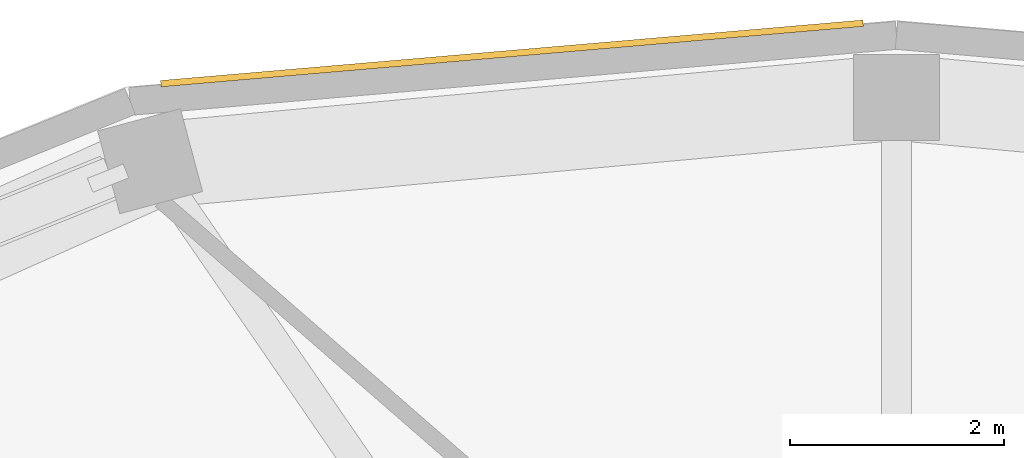
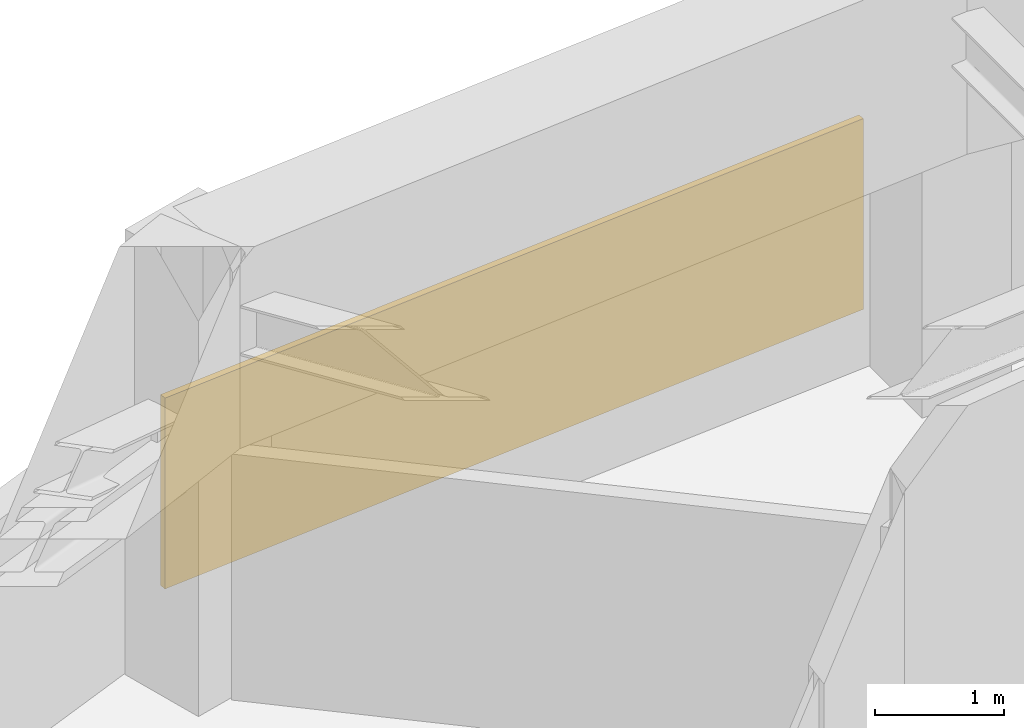
# One storey, part 10 of 10: 1 shading device.
"""IFC4 building model written with IfcOpenShell, lengths in metres."""

from ifc_helpers import new_model, si_unit, direction, frame, origin, origin_2d, place, context, subcontext, project, spatial, rectangle, extrude, material, layer, layer_set, type_object, element, save


model = new_model("IFC4")

# Units and contexts
model_context = context("Model", 3, precision=1e-05, world=origin(), true_north=direction((0.0, 1.0)))
body_context = subcontext(model_context, "Body", "Model", "MODEL_VIEW")
ifc_project = project(units=[si_unit("LENGTHUNIT", "METRE"), si_unit("AREAUNIT", "SQUARE_METRE"), si_unit("VOLUMEUNIT", "CUBIC_METRE"), si_unit("PLANEANGLEUNIT", "RADIAN"), si_unit("MASSUNIT", "GRAM", prefix="KILO")], contexts=[model_context])

# Site, building, storey
site_placement = place(None, origin())
site = spatial("IfcSite", under=ifc_project, at=site_placement, CompositionType="ELEMENT")
building_placement = place(site_placement, origin())
building = spatial("IfcBuilding", under=site, at=building_placement, Name="Solvane Sanctuary Tower", CompositionType="ELEMENT")
storey_placement = place(building_placement, frame((0.0, 0.0, 193.199951171875)))
storey = spatial("IfcBuildingStorey", under=building, at=storey_placement, Name="L59", CompositionType="ELEMENT", Elevation=193.199951171875)

# Shading device
ifc_material = material(Name="Anodised Aluminium 6063-T6", Category="aluminium")
ifc_layer = layer(ifc_material, 0.06005859375, Name="Anodised Aluminium 6063-T6")
ifc_layer_set = layer_set([ifc_layer], Name="Anodised Aluminium 6063-T6")
shading_device_type = type_object("IfcShadingDeviceType", Name="Shading SHD-LOUVRE", PredefinedType="JALOUSIE", material=ifc_layer_set)
shading_device_placement = place(storey_placement, frame((28.4111328125, 39.491455078125, 0.35009765625), z_axis=(0.0, 0.0, 1.0), x_axis=(-0.996313173704, -0.085790791492, 0.0)))
element("IfcShadingDevice", 1, at=shading_device_placement, inside=storey, type_object=shading_device_type, Name="L59 Plant Intake Louvre 06", PredefinedType="JALOUSIE", context=body_context, shape_type="SweptSolid", body=[
    extrude(rectangle(XDim=6.580322265625, YDim=0.06005859375, at=origin_2d()), origin(), (0.0, 0.0, 1.0), 1.800048828125),
])

save(model, "model.ifc")
